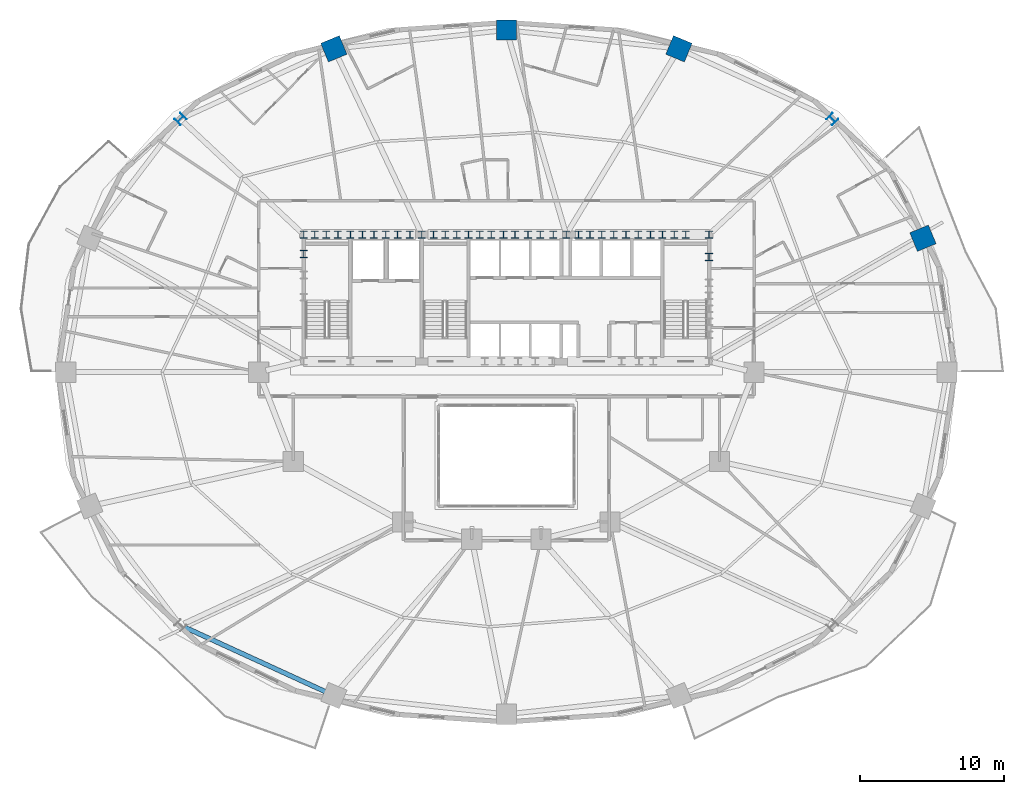
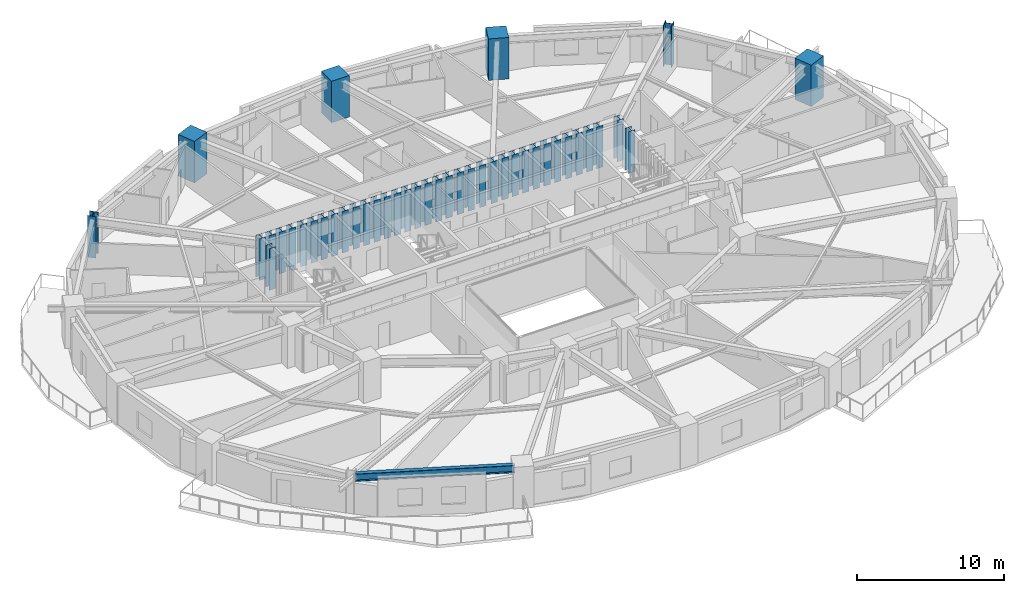
# One storey, part 2 of 17: 42 columns, 1 beam.
"""IFC4 building model written with IfcOpenShell, lengths in metres."""

from ifc_helpers import new_model, si_unit, direction, frame, origin, origin_2d, place, context, subcontext, project, spatial, rectangle, i_section, extrude, material, material_profile, profile_set, type_object, element, save


model = new_model("IFC4")

# Units and contexts
model_context = context("Model", 3, precision=1e-05, world=origin(), true_north=direction((0.0, 1.0)))
body_context = subcontext(model_context, "Body", "Model", "MODEL_VIEW")
ifc_project = project(units=[si_unit("LENGTHUNIT", "METRE"), si_unit("AREAUNIT", "SQUARE_METRE"), si_unit("VOLUMEUNIT", "CUBIC_METRE"), si_unit("PLANEANGLEUNIT", "RADIAN"), si_unit("MASSUNIT", "GRAM", prefix="KILO")], contexts=[model_context])

# Site, building, storey
site_placement = place(None, origin())
site = spatial("IfcSite", under=ifc_project, at=site_placement, CompositionType="ELEMENT")
building_placement = place(site_placement, origin())
building = spatial("IfcBuilding", under=site, at=building_placement, Name="Haldorwick Loom Tower", CompositionType="ELEMENT")
storey_placement = place(building_placement, frame((0.0, 0.0, 27.449951171875)))
storey = spatial("IfcBuildingStorey", under=building, at=storey_placement, Name="L06", CompositionType="ELEMENT", Elevation=27.449951171875)

# Columns
ifc_material_1 = material(Name="Concrete C60 (60 MPa)", Category="concrete")
ifc_material_profile_1 = material_profile(ifc_material_1, rectangle(XDim=1.39990234375, YDim=1.39990234375, at=origin_2d()), Name="RC1400X1400", Category="concrete")
ifc_profile_set_1 = profile_set([ifc_material_profile_1], Name="Concrete C60 (60 MPa)")
column_type_1 = type_object("IfcColumnType", Name="STR-COL-RC1400", PredefinedType="PILASTER", material=ifc_profile_set_1)
for number, where, z_axis, x_axis, name in (
    (1, (64.91748046875, 35.29931640625, 0.0), (0.0, 0.0, 1.0), (0.923879532511, 0.382683432365, 0.0), "L06 Perimeter Pier Column P02"),
    (2, (47.97802734375, 48.4501953125, 0.0), (0.0, 0.0, 1.0), (0.382683432365, 0.923879532511, 0.0), "L06 Perimeter Pier Column P04"),
    (3, (36.0, 49.75, 0.0), (0.0, 0.0, 1.0), (0.0, 1.0, 0.0), "L06 Perimeter Pier Column P05"),
    (4, (24.02197265625, 48.4501953125, 0.0), (0.0, 0.0, 1.0), (-0.382683432365, 0.923879532511, 0.0), "L06 Perimeter Pier Column P06"),
):
    element("IfcColumn", number, at=place(storey_placement, frame(where, z_axis=z_axis, x_axis=x_axis)), inside=storey, type_object=column_type_1, Name=name, PredefinedType="PILASTER", context=body_context, shape_type="SweptSolid", body=[
        extrude(rectangle(XDim=1.39990234375, YDim=1.39990234375, at=origin_2d()), origin(), (0.0, 0.0, 1.0), 3.449951171875),
    ])
ifc_material_2 = material(Name="Steel CSA G40.21 350WT", Category="steel")
ifc_material_profile_2 = material_profile(ifc_material_2, i_section(OverallWidth=0.5, OverallDepth=0.5, WebThickness=0.02197265625, FlangeThickness=0.031982421875, at=origin_2d()), Name="WWF500X500", Category="steel")
ifc_profile_set_2 = profile_set([ifc_material_profile_2], Name="Steel CSA G40.21 350WT")
column_type_2 = type_object("IfcColumnType", Name="STR-COL-WWF500", PredefinedType="COLUMN", material=ifc_profile_set_2)
for number, where, z_axis, x_axis, name in (
    (5, (21.929931640625, 35.550048828125, 0.0), (0.0, 0.0, 1.0), (1.0, 0.0, 0.0), "L06 Core Pilaster CB-01"),
    (6, (23.5, 35.550048828125, 0.0), (0.0, 0.0, 1.0), (1.0, 0.0, 0.0), "L06 Core Pilaster CB-02"),
    (7, (25.169921875, 35.550048828125, 0.0), (0.0, 0.0, 1.0), (1.0, 0.0, 0.0), "L06 Core Pilaster CB-03"),
    (8, (26.800048828125, 35.550048828125, 0.0), (0.0, 0.0, 1.0), (1.0, 0.0, 0.0), "L06 Core Pilaster CB-04"),
    (9, (28.449951171875, 35.550048828125, 0.0), (0.0, 0.0, 1.0), (1.0, 0.0, 0.0), "L06 Core Pilaster CB-05"),
    (10, (30.1298828125, 35.550048828125, 0.0), (0.0, 0.0, 1.0), (1.0, 0.0, 0.0), "L06 Core Pilaster CB-06"),
    (11, (31.75, 35.550048828125, 0.0), (0.0, 0.0, 1.0), (1.0, 0.0, 0.0), "L06 Core Pilaster CB-07"),
    (12, (33.3701171875, 35.550048828125, 0.0), (0.0, 0.0, 1.0), (1.0, 0.0, 0.0), "L06 Core Pilaster CB-08"),
    (13, (34.949951171875, 35.550048828125, 0.0), (0.0, 0.0, 1.0), (1.0, 0.0, 0.0), "L06 Core Pilaster CB-09"),
    (14, (36.60009765625, 35.550048828125, 0.0), (0.0, 0.0, 1.0), (1.0, 0.0, 0.0), "L06 Core Pilaster CB-10"),
    (15, (38.35009765625, 35.550048828125, 0.0), (0.0, 0.0, 1.0), (1.0, 0.0, 0.0), "L06 Core Pilaster CB-11"),
    (16, (40.14990234375, 35.550048828125, 0.0), (0.0, 0.0, 1.0), (1.0, 0.0, 0.0), "L06 Core Pilaster CB-12"),
    (17, (41.800048828125, 35.550048828125, 0.0), (0.0, 0.0, 1.0), (1.0, 0.0, 0.0), "L06 Core Pilaster CB-13"),
    (18, (43.449951171875, 35.550048828125, 0.0), (0.0, 0.0, 1.0), (1.0, 0.0, 0.0), "L06 Core Pilaster CB-14"),
    (19, (45.14990234375, 35.550048828125, 0.0), (0.0, 0.0, 1.0), (1.0, 0.0, 0.0), "L06 Core Pilaster CB-15"),
    (20, (46.830078125, 35.550048828125, 0.0), (0.0, 0.0, 1.0), (1.0, 0.0, 0.0), "L06 Core Pilaster CB-16"),
    (21, (48.449951171875, 35.550048828125, 0.0), (0.0, 0.0, 1.0), (1.0, 0.0, 0.0), "L06 Core Pilaster CB-17"),
    (22, (50.070068359375, 35.550048828125, 0.0), (0.0, 0.0, 1.0), (1.0, 0.0, 0.0), "L06 Core Pilaster CB-18"),
    (23, (21.929931640625, 34.199951171875, 0.0), (0.0, 0.0, 1.0), (1.0, 0.0, 0.0), "L06 Core Pilaster CB-28"),
    (24, (50.070068359375, 34.0, 0.0), (0.0, 0.0, 1.0), (1.0, 0.0, 0.0), "L06 Core Pilaster CB-32"),
    (25, (22.699951171875, 35.550048828125, 0.0), (0.0, 0.0, 1.0), (1.0, 0.0, 0.0), "L06 Core Pilaster CB-33"),
    (26, (27.6201171875, 35.550048828125, 0.0), (0.0, 0.0, 1.0), (1.0, 0.0, 0.0), "L06 Core Pilaster CB-34"),
    (27, (32.550048828125, 35.550048828125, 0.0), (0.0, 0.0, 1.0), (1.0, 0.0, 0.0), "L06 Core Pilaster CB-35"),
    (28, (37.5, 35.550048828125, 0.0), (0.0, 0.0, 1.0), (1.0, 0.0, 0.0), "L06 Core Pilaster CB-36"),
    (29, (42.6201171875, 35.550048828125, 0.0), (0.0, 0.0, 1.0), (1.0, 0.0, 0.0), "L06 Core Pilaster CB-37"),
    (30, (47.64990234375, 35.550048828125, 0.0), (0.0, 0.0, 1.0), (1.0, 0.0, 0.0), "L06 Core Pilaster CB-38"),
    (31, (24.300048828125, 35.550048828125, 0.0), (0.0, 0.0, 1.0), (1.0, 0.0, 0.0), "L06 Core Pilaster CB-39"),
    (32, (26.0, 35.550048828125, 0.0), (0.0, 0.0, 1.0), (1.0, 0.0, 0.0), "L06 Core Pilaster CB-40"),
    (33, (29.300048828125, 35.550048828125, 0.0), (0.0, 0.0, 1.0), (1.0, 0.0, 0.0), "L06 Core Pilaster CB-41"),
    (34, (30.949951171875, 35.550048828125, 0.0), (0.0, 0.0, 1.0), (1.0, 0.0, 0.0), "L06 Core Pilaster CB-42"),
    (35, (34.14990234375, 35.550048828125, 0.0), (0.0, 0.0, 1.0), (1.0, 0.0, 0.0), "L06 Core Pilaster CB-43"),
    (36, (35.800048828125, 35.550048828125, 0.0), (0.0, 0.0, 1.0), (1.0, 0.0, 0.0), "L06 Core Pilaster CB-44"),
    (37, (39.25, 35.550048828125, 0.0), (0.0, 0.0, 1.0), (1.0, 0.0, 0.0), "L06 Core Pilaster CB-45"),
    (38, (41.0, 35.550048828125, 0.0), (0.0, 0.0, 1.0), (1.0, 0.0, 0.0), "L06 Core Pilaster CB-46"),
    (39, (44.300048828125, 35.550048828125, 0.0), (0.0, 0.0, 1.0), (1.0, 0.0, 0.0), "L06 Core Pilaster CB-47"),
    (40, (46.0, 35.550048828125, 0.0), (0.0, 0.0, 1.0), (1.0, 0.0, 0.0), "L06 Core Pilaster CB-48"),
):
    element("IfcColumn", number, at=place(storey_placement, frame(where, z_axis=z_axis, x_axis=x_axis)), inside=storey, type_object=column_type_2, Name=name, PredefinedType="COLUMN", context=body_context, shape_type="SweptSolid", body=[
        extrude(i_section(OverallWidth=0.5, OverallDepth=0.5, WebThickness=0.02197265625, FlangeThickness=0.031982421875, at=origin_2d()), origin(), (0.0, 0.0, 1.0), 3.449951171875),
    ])
ifc_material_profile_3 = material_profile(ifc_material_2, i_section(OverallWidth=0.60009765625, OverallDepth=0.60009765625, WebThickness=0.02490234375, FlangeThickness=0.035888671875, at=origin_2d()), Name="WWF600X600", Category="steel")
ifc_profile_set_3 = profile_set([ifc_material_profile_3], Name="Steel CSA G40.21 350WT")
column_type_3 = type_object("IfcColumnType", Name="STR-COL-WWF600", PredefinedType="COLUMN", material=ifc_profile_set_3)
for number, where, z_axis, x_axis, name in (
    (41, (58.630126953125, 43.571533203125, 0.0), (0.0, 0.0, 1.0), (0.707106781187, 0.707106781187, 0.0), "L06 Perimeter Pier Column P03"),
    (42, (13.369873046875, 43.571533203125, 0.0), (0.0, 0.0, 1.0), (-0.707106781187, 0.707106781187, 0.0), "L06 Perimeter Pier Column P07"),
):
    element("IfcColumn", number, at=place(storey_placement, frame(where, z_axis=z_axis, x_axis=x_axis)), inside=storey, type_object=column_type_3, Name=name, PredefinedType="COLUMN", context=body_context, shape_type="SweptSolid", body=[
        extrude(i_section(OverallWidth=0.60009765625, OverallDepth=0.60009765625, WebThickness=0.02490234375, FlangeThickness=0.035888671875, at=origin_2d()), origin(), (0.0, 0.0, 1.0), 3.449951171875),
    ])

# Beam
ifc_material_3 = material(Name="Steel CSA G40.21 350W", Category="steel")
ifc_material_profile_4 = material_profile(ifc_material_3, i_section(OverallWidth=0.324951171875, OverallDepth=0.615966796875, WebThickness=0.013916015625, FlangeThickness=0.021484375, at=origin_2d()), Name="W610X174", Category="steel")
ifc_profile_set_4 = profile_set([ifc_material_profile_4], Name="Steel CSA G40.21 350W")
beam_type = type_object("IfcBeamType", Name="STR-BM-SP610", PredefinedType="SPANDREL", material=ifc_profile_set_4)
beam_placement = place(storey_placement, frame((13.619873046875, 8.31396484375, 2.902099609375), z_axis=(0.909173805321, -0.416416848504, 0.0), x_axis=(0.416416848504, 0.909173805321, 0.0)))
element("IfcBeam", 43, at=beam_placement, inside=storey, type_object=beam_type, Name="L06 Perimeter Spandrel 11", PredefinedType="SPANDREL", context=body_context, shape_type="SweptSolid", body=[
    extrude(i_section(OverallWidth=0.324951171875, OverallDepth=0.615966796875, WebThickness=0.013916015625, FlangeThickness=0.021484375, at=origin_2d()), origin(), (0.0, 0.0, 1.0), 10.92138671875),
])

save(model, "model.ifc")
